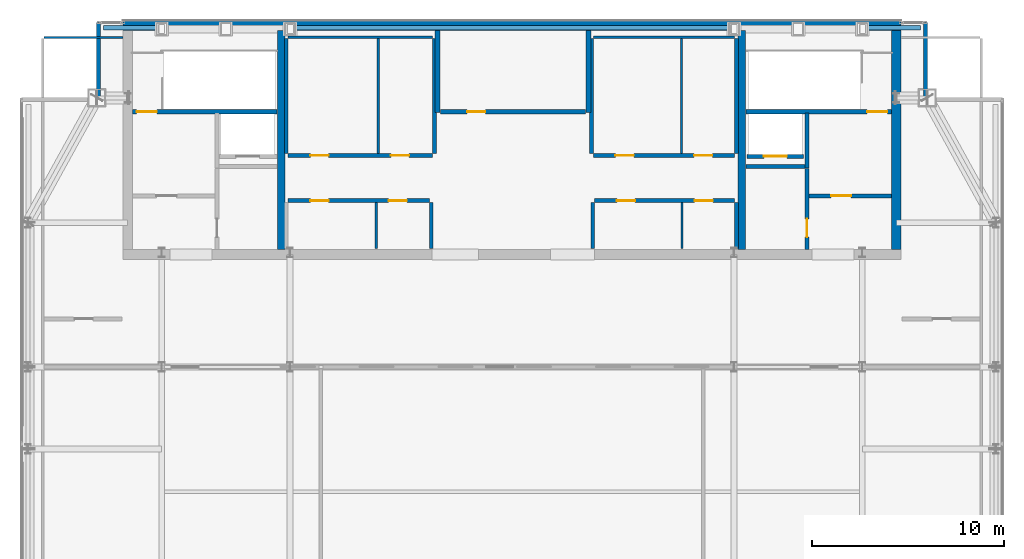
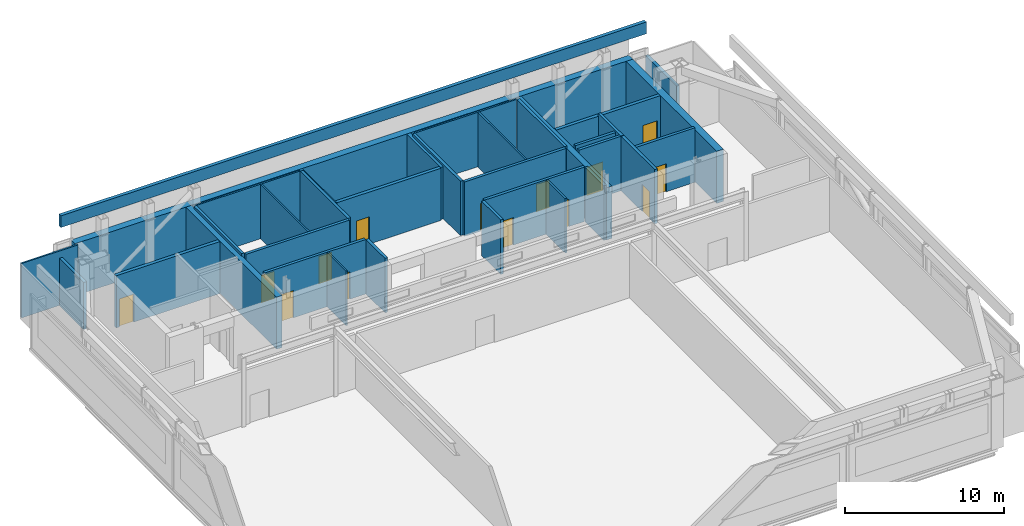
# One storey, part 22 of 24: 35 walls, 14 doors, 14 openings.
"""IFC4 building model written with IfcOpenShell, lengths in metres."""

from ifc_helpers import new_model, si_unit, direction, frame, frame_2d, origin, place, context, subcontext, project, spatial, rectangle, extrude, material, layer, layer_set, type_object, element, fill, save


model = new_model("IFC4")

# Units and contexts
model_context = context("Model", 3, precision=1e-05, world=origin(), true_north=direction((0.0, 1.0)))
body_context = subcontext(model_context, "Body", "Model", "MODEL_VIEW")
ifc_project = project(units=[si_unit("LENGTHUNIT", "METRE"), si_unit("AREAUNIT", "SQUARE_METRE"), si_unit("VOLUMEUNIT", "CUBIC_METRE"), si_unit("PLANEANGLEUNIT", "RADIAN"), si_unit("MASSUNIT", "GRAM", prefix="KILO")], contexts=[model_context])

# Site, building, storey
site_placement = place(None, origin())
site = spatial("IfcSite", under=ifc_project, at=site_placement, CompositionType="ELEMENT")
building_placement = place(site_placement, origin())
building = spatial("IfcBuilding", under=site, at=building_placement, Name="Khoronbel Lancet Exchange", CompositionType="ELEMENT")
storey_placement = place(building_placement, frame((0.0, 0.0, 378.60009765625)))
storey = spatial("IfcBuildingStorey", under=building, at=storey_placement, Name="L96", CompositionType="ELEMENT", Elevation=378.60009765625)

# Walls
ifc_material_1 = material(Name="Concrete C60/75", Category="concrete")
ifc_layer_1 = layer(ifc_material_1, 0.5, Name="Concrete C60/75")
ifc_layer_set_1 = layer_set([ifc_layer_1], Name="Concrete C60/75")
wall_type_1 = type_object("IfcWallType", Name="WL-CW4", PredefinedType="SHEAR", material=ifc_layer_set_1)
wall_1_placement = place(storey_placement, frame((16.199951171875, 53.449951171875, 0.0), z_axis=(0.0, 0.0, 1.0), x_axis=(1.0, 0.0, 0.0)))
element("IfcWall", 1, at=wall_1_placement, inside=storey, type_object=wall_type_1, Name="Level L96 rear core north shear wall", PredefinedType="SHEAR", context=body_context, shape_type="SweptSolid", body=[
    extrude(rectangle(XDim=40.5, YDim=0.5, at=frame_2d((20.25, 0.0))), origin(), (0.0, 0.0, 1.0), 4.0),
])
wall_2_placement = place(storey_placement, frame((56.449951171875, 53.199951171875, 0.0), z_axis=(0.0, 0.0, 1.0), x_axis=(0.0, -1.0, 0.0)))
element("IfcWall", 2, at=wall_2_placement, inside=storey, type_object=wall_type_1, Name="Level L96 rear core east shear wall", PredefinedType="SHEAR", context=body_context, shape_type="SweptSolid", body=[
    extrude(rectangle(XDim=11.39990234375, YDim=0.5, at=frame_2d((5.699951171875, 0.0))), origin(), (0.0, 0.0, 1.0), 4.0),
])
ifc_material_2 = material(Name="Precast concrete C40/50", Category="concrete")
ifc_layer_2 = layer(ifc_material_2, 0.25, Name="Precast concrete C40/50")
ifc_layer_set_2 = layer_set([ifc_layer_2], Name="Precast concrete C40/50")
wall_type_2 = type_object("IfcWallType", Name="WL-EXT250", PredefinedType="SOLIDWALL", material=ifc_layer_set_2)
for number, where, z_axis, x_axis, name in (
    (3, (14.93994140625, 49.719970703125, 0.0), (0.0, 0.0, 1.0), (0.0, 1.0, 0.0), "Level L96 notched-corner limestone pier 05"),
    (4, (57.9599609375, 53.6298828125, 0.0), (0.0, 0.0, 1.0), (0.0, -1.0, 0.0), "Level L96 notched-corner limestone pier 07"),
):
    element("IfcWall", number, at=place(storey_placement, frame(where, z_axis=z_axis, x_axis=x_axis)), inside=storey, type_object=wall_type_2, Name=name, PredefinedType="SOLIDWALL", context=body_context, shape_type="SweptSolid", body=[
        extrude(rectangle(XDim=3.909912109375, YDim=0.219970703125, at=frame_2d((1.955078125, 0.0))), origin(), (0.0, 0.0, 1.0), 3.619873046875),
    ])
ifc_material_3 = material(Name="Concrete C40/50", Category="concrete")
ifc_layer_3 = layer(ifc_material_3, 0.25, Name="Concrete C40/50")
ifc_layer_set_3 = layer_set([ifc_layer_3], Name="Concrete C40/50")
wall_type_3 = type_object("IfcWallType", Name="WL-PAR250", PredefinedType="PARAPET", material=ifc_layer_set_3)
wall_3_placement = place(storey_placement, frame((57.699951171875, 53.35009765625, 5.579833984375), z_axis=(0.0, 0.0, 1.0), x_axis=(-1.0, 0.0, 0.0)))
element("IfcWall", 5, at=wall_3_placement, inside=storey, type_object=wall_type_3, Name="Level L96 closed ring-crown eave parapet N", PredefinedType="PARAPET", context=body_context, shape_type="SweptSolid", body=[
    extrude(rectangle(XDim=42.5, YDim=0.25, at=frame_2d((21.25, 0.0))), origin(), (0.0, 0.0, 1.0), 0.900146484375),
])
ifc_material_4 = material(Name="Acoustic Metal-Stud & Mineral-Wool Gypsum Partition 120 mm", Category="gypsum")
ifc_layer_4 = layer(ifc_material_4, 0.1201171875, Name="Acoustic Metal-Stud & Mineral-Wool Gypsum Partition 120 mm")
ifc_layer_set_4 = layer_set([ifc_layer_4], Name="Acoustic Metal-Stud & Mineral-Wool Gypsum Partition 120 mm")
wall_type_4 = type_object("IfcWallType", Name="WL-PRT120", PredefinedType="PARTITIONING", material=ifc_layer_set_4)
wall_4_placement = place(storey_placement, frame((12.094970703125, 52.840087890625, 0.0), z_axis=(0.0, 0.0, 1.0), x_axis=(1.0, 0.0, 0.0)))
element("IfcWall", 6, at=wall_4_placement, inside=storey, type_object=wall_type_4, Name="Level L96 interior partition PW-LIN-NW", PredefinedType="PARTITIONING", context=body_context, shape_type="SweptSolid", body=[
    extrude(rectangle(XDim=4.10498046875, YDim=0.1201171875, at=frame_2d((2.052490234375, 0.0))), origin(), (0.0, 0.0, 1.0), 4.179931640625),
])
ifc_material_5 = material(Name="Fire-Rated Metal-Stud & Mineral-Wool Gypsum Partition 120 mm", Category="gypsum")
ifc_layer_5 = layer(ifc_material_5, 0.1201171875, Name="Fire-Rated Metal-Stud & Mineral-Wool Gypsum Partition 120 mm")
ifc_layer_set_5 = layer_set([ifc_layer_5], Name="Fire-Rated Metal-Stud & Mineral-Wool Gypsum Partition 120 mm")
wall_type_5 = type_object("IfcWallType", Name="WL-PRT120F", PredefinedType="PARTITIONING", material=ifc_layer_set_5)
wall_5_placement = place(storey_placement, frame((24.804931640625, 52.860107421875, 0.0), z_axis=(0.0, 0.0, 1.0), x_axis=(1.0, 0.0, 0.0)))
element("IfcWall", 7, at=wall_5_placement, inside=storey, type_object=wall_type_5, Name="Level L96 interior partition CW-PL-RN", PredefinedType="PARTITIONING", context=body_context, shape_type="SweptSolid", body=[
    extrude(rectangle(XDim=7.510009765625, YDim=0.1201171875, at=frame_2d((3.7548828125, 0.0))), origin(), (0.0, 0.0, 1.0), 4.179931640625),
])
wall_6_placement = place(storey_placement, frame((29.486328125, 46.804931640625, 0.0), z_axis=(0.0, 0.0, 1.0), x_axis=(0.0, 1.0, 0.0)))
element("IfcWall", 8, at=wall_6_placement, inside=storey, type_object=wall_type_5, Name="Level L96 interior partition CW-PL-RS2", PredefinedType="PARTITIONING", context=body_context, shape_type="SweptSolid", body=[
    extrude(rectangle(XDim=5.989990234375, YDim=0.1201171875, at=frame_2d((2.9951171875, 0.0))), origin(), (0.0, 0.0, 1.0), 4.179931640625),
])
wall_7_placement = place(storey_placement, frame((29.381103515625, 41.85009765625, 0.0), z_axis=(0.0, 0.0, 1.0), x_axis=(0.0, 1.0, 0.0)))
element("IfcWall", 9, at=wall_7_placement, inside=storey, type_object=wall_type_5, Name="Level L96 interior partition CW-PM-RS2", PredefinedType="PARTITIONING", context=body_context, shape_type="SweptSolid", body=[
    extrude(rectangle(XDim=2.39501953125, YDim=0.1201171875, at=frame_2d((1.197509765625, 0.0))), origin(), (0.0, 0.0, 1.0), 4.179931640625),
])
wall_8_placement = place(storey_placement, frame((40.68505859375, 52.860107421875, 0.0), z_axis=(0.0, 0.0, 1.0), x_axis=(1.0, 0.0, 0.0)))
element("IfcWall", 10, at=wall_8_placement, inside=storey, type_object=wall_type_5, Name="Level L96 interior partition CW-PH-RN", PredefinedType="PARTITIONING", context=body_context, shape_type="SweptSolid", body=[
    extrude(rectangle(XDim=7.349853515625, YDim=0.1201171875, at=frame_2d((3.6748046875, 0.0))), origin(), (0.0, 0.0, 1.0), 4.179931640625),
])
wall_9_placement = place(storey_placement, frame((45.26708984375, 46.804931640625, 0.0), z_axis=(0.0, 0.0, 1.0), x_axis=(0.0, 1.0, 0.0)))
element("IfcWall", 11, at=wall_9_placement, inside=storey, type_object=wall_type_5, Name="Level L96 interior partition CW-PH-RS2", PredefinedType="PARTITIONING", context=body_context, shape_type="SweptSolid", body=[
    extrude(rectangle(XDim=5.989990234375, YDim=0.1201171875, at=frame_2d((2.9951171875, 0.0))), origin(), (0.0, 0.0, 1.0), 4.179931640625),
])
wall_10_placement = place(storey_placement, frame((45.293701171875, 41.85009765625, 0.0), z_axis=(0.0, 0.0, 1.0), x_axis=(0.0, 1.0, 0.0)))
element("IfcWall", 12, at=wall_10_placement, inside=storey, type_object=wall_type_5, Name="Level L96 interior partition CW-PX-RS2", PredefinedType="PARTITIONING", context=body_context, shape_type="SweptSolid", body=[
    extrude(rectangle(XDim=2.39501953125, YDim=0.1201171875, at=frame_2d((1.197509765625, 0.0))), origin(), (0.0, 0.0, 1.0), 4.179931640625),
])

# Wall, opening, door
ifc_material_6 = material(Name="Autoclaved Aerated Concrete Blockwork 200 mm", Category="masonry")
ifc_layer_6 = layer(ifc_material_6, 0.199951171875, Name="Autoclaved Aerated Concrete Blockwork 200 mm")
ifc_layer_set_6 = layer_set([ifc_layer_6], Name="Autoclaved Aerated Concrete Blockwork 200 mm")
wall_type_6 = type_object("IfcWallType", Name="WL-PRT200", PredefinedType="PARTITIONING", material=ifc_layer_set_6)
wall_11_placement = place(storey_placement, frame((51.610107421875, 46.64990234375, 0.0), z_axis=(0.0, 0.0, 1.0), x_axis=(-1.0, 0.0, 0.0)))
wall_11 = element("IfcWall", 13, at=wall_11_placement, inside=storey, type_object=wall_type_6, Name="Level L96 elevator hoistway landing front wall FFLE", PredefinedType="PARTITIONING", context=body_context, shape_type="SweptSolid", body=[
    extrude(rectangle(XDim=2.920166015625, YDim=0.199951171875, at=frame_2d((1.4599609375, 0.0))), origin(), (0.0, 0.0, 1.0), 4.179931640625),
])
opening_1_placement = place(wall_11_placement, frame((0.860107421875, 0.0, 0.0)))
opening_1 = element("IfcOpeningElement", 14, at=opening_1_placement, cuts=wall_11, Name="Opening LD-FFL2", PredefinedType="OPENING", context=body_context, shape_type="SweptSolid", body=[
    extrude(rectangle(XDim=1.199951171875, YDim=2.179931640625, at=frame_2d((0.60009765625, 1.08984375))), frame((0.0, 0.10986328125, 0.0), z_axis=(0.0, -1.0, 0.0), x_axis=(1.0, 0.0, 0.0)), (0.0, 0.0, 1.0), 0.219970703125),
])
ifc_material_7 = material(Name="Fire-Rated Stainless Bi-Parting Firefighting Lift Door", Category="steel")
door_type_1 = type_object("IfcDoorType", Name="DR-LD-FFL", OperationType="NOTDEFINED", PredefinedType="DOOR", material=ifc_material_7)
door_1_placement = place(opening_1_placement, origin())
door_1 = element("IfcDoor", 15, at=door_1_placement, inside=storey, type_object=door_type_1, Name="Elevator landing sliding door LD-FFL2 L96", OperationType="SLIDING_TO_LEFT", OverallHeight=2.179931640625, OverallWidth=1.199951171875, PredefinedType="DOOR", context=body_context, shape_type="SweptSolid", body=[
    extrude(rectangle(XDim=1.199951171875, YDim=2.179931640625, at=frame_2d((0.60009765625, 1.08984375))), frame((0.0, 0.02490234375, 0.0), z_axis=(0.0, -1.0, 0.0), x_axis=(1.0, 0.0, 0.0)), (0.0, 0.0, 1.0), 0.050048828125),
])
fill(opening_1, door_1)

# Wall
wall_12_placement = place(storey_placement, frame((51.800048828125, 46.050048828125, 0.0), z_axis=(0.0, 0.0, 1.0), x_axis=(0.0, 1.0, 0.0)))
element("IfcWall", 16, at=wall_12_placement, inside=storey, type_object=wall_type_6, Name="Level L96 interior partition CW-FFLE-W", PredefinedType="PARTITIONING", context=body_context, shape_type="SweptSolid", body=[
    extrude(rectangle(XDim=2.849853515625, YDim=0.199951171875, at=frame_2d((1.4248046875, 0.0))), origin(), (0.0, 0.0, 1.0), 4.179931640625),
])

# Wall, opening, door
wall_13_placement = place(storey_placement, frame((51.89990234375, 44.60009765625, 0.0), z_axis=(0.0, 0.0, 1.0), x_axis=(1.0, 0.0, 0.0)))
wall_13 = element("IfcWall", 17, at=wall_13_placement, inside=storey, type_object=wall_type_6, Name="Level L96 interior partition CW-FFLE-S", PredefinedType="PARTITIONING", context=body_context, shape_type="SweptSolid", body=[
    extrude(rectangle(XDim=4.300048828125, YDim=0.199951171875, at=frame_2d((2.14990234375, 0.0))), origin(), (0.0, 0.0, 1.0), 4.179931640625),
])
opening_2_placement = place(wall_13_placement, frame((1.14990234375, 0.0, 0.0)))
opening_2 = element("IfcOpeningElement", 18, at=opening_2_placement, cuts=wall_13, Name="Opening FD1", PredefinedType="OPENING", context=body_context, shape_type="SweptSolid", body=[
    extrude(rectangle(XDim=1.050048828125, YDim=2.14990234375, at=frame_2d((0.52490234375, 1.074951171875))), frame((0.0, 0.10986328125, 0.0), z_axis=(0.0, -1.0, 0.0), x_axis=(1.0, 0.0, 0.0)), (0.0, 0.0, 1.0), 0.219970703125),
])
ifc_material_8 = material(Name="Fire-Rated Painted Steel Door Assembly", Category="steel")
door_type_2 = type_object("IfcDoorType", Name="DR-FD1", OperationType="NOTDEFINED", PredefinedType="DOOR", material=ifc_material_8)
door_2_placement = place(opening_2_placement, origin())
door_2 = element("IfcDoor", 19, at=door_2_placement, inside=storey, type_object=door_type_2, Name="East firefighting lobby FD90S door L96-1", OperationType="SINGLE_SWING_LEFT", OverallHeight=2.14990234375, OverallWidth=1.050048828125, PredefinedType="DOOR", context=body_context, shape_type="SweptSolid", body=[
    extrude(rectangle(XDim=1.050048828125, YDim=2.14990234375, at=frame_2d((0.52490234375, 1.074951171875))), frame((0.0, 0.02490234375, 0.0), z_axis=(0.0, -1.0, 0.0), x_axis=(1.0, 0.0, 0.0)), (0.0, 0.0, 1.0), 0.050048828125),
])
fill(opening_2, door_2)

# Wall
wall_14_placement = place(storey_placement, frame((48.6298828125, 46.1201171875, 0.0), z_axis=(0.0, 0.0, 1.0), x_axis=(1.0, 0.0, 0.0)))
element("IfcWall", 20, at=wall_14_placement, inside=storey, type_object=wall_type_6, Name="Level L96 interior partition CW-FFL2-S", PredefinedType="PARTITIONING", context=body_context, shape_type="SweptSolid", body=[
    extrude(rectangle(XDim=3.070068359375, YDim=0.199951171875, at=frame_2d((1.53515625, 0.0))), origin(), (0.0, 0.0, 1.0), 4.179931640625),
])

# Wall, opening, door
wall_15_placement = place(storey_placement, frame((51.800048828125, 41.800048828125, 0.0), z_axis=(0.0, 0.0, 1.0), x_axis=(0.0, 1.0, 0.0)))
wall_15 = element("IfcWall", 21, at=wall_15_placement, inside=storey, type_object=wall_type_6, Name="Level L96 interior partition CW-SVL2-REC", PredefinedType="PARTITIONING", context=body_context, shape_type="SweptSolid", body=[
    extrude(rectangle(XDim=4.21484375, YDim=0.199951171875, at=frame_2d((2.107421875, 0.0))), origin(), (0.0, 0.0, 1.0), 4.179931640625),
])
opening_3_placement = place(wall_15_placement, frame((0.64990234375, 0.0, 0.0)))
opening_3 = element("IfcOpeningElement", 22, at=opening_3_placement, cuts=wall_15, Name="Opening FD3", PredefinedType="OPENING", context=body_context, shape_type="SweptSolid", body=[
    extrude(rectangle(XDim=0.949951171875, YDim=2.10009765625, at=frame_2d((0.47509765625, 1.050048828125))), frame((0.0, 0.10986328125, 0.0), z_axis=(0.0, -1.0, 0.0), x_axis=(1.0, 0.0, 0.0)), (0.0, 0.0, 1.0), 0.219970703125),
])
ifc_material_9 = material(Name="Fire-Rated Steel Plant & Riser Door Assembly", Category="steel")
door_type_3 = type_object("IfcDoorType", Name="DR-FD3", OperationType="NOTDEFINED", PredefinedType="DOOR", material=ifc_material_9)
door_3_placement = place(opening_3_placement, origin())
door_3 = element("IfcDoor", 23, at=door_3_placement, inside=storey, type_object=door_type_3, Name="Crown hydraulics plant door L96-1", OperationType="SINGLE_SWING_RIGHT", OverallHeight=2.10009765625, OverallWidth=0.949951171875, PredefinedType="DOOR", context=body_context, shape_type="SweptSolid", body=[
    extrude(rectangle(XDim=0.949951171875, YDim=2.10009765625, at=frame_2d((0.47509765625, 1.050048828125))), frame((0.0, 0.02490234375, 0.0), z_axis=(0.0, -1.0, 0.0), x_axis=(1.0, 0.0, 0.0)), (0.0, 0.0, 1.0), 0.050048828125),
])
fill(opening_3, door_3)

# Walls
for number, where, z_axis, x_axis, name in (
    (24, (24.699951171875, 46.804931640625, 0.0), (0.0, 0.0, 1.0), (0.0, 1.0, 0.0), "Level L96 interior partition CW-PL-RW"),
    (25, (32.419921875, 46.804931640625, 0.0), (0.0, 0.0, 1.0), (0.0, 1.0, 0.0), "Level L96 interior partition CW-PL-RE"),
):
    element("IfcWall", number, at=place(storey_placement, frame(where, z_axis=z_axis, x_axis=x_axis)), inside=storey, type_object=wall_type_6, Name=name, PredefinedType="PARTITIONING", context=body_context, shape_type="SweptSolid", body=[
        extrude(rectangle(XDim=5.989990234375, YDim=0.199951171875, at=frame_2d((2.9951171875, 0.0))), origin(), (0.0, 0.0, 1.0), 4.179931640625),
    ])

# Wall, openings, doors
wall_16_placement = place(storey_placement, frame((24.804931640625, 46.699951171875, 0.0), z_axis=(0.0, 0.0, 1.0), x_axis=(1.0, 0.0, 0.0)))
wall_16 = element("IfcWall", 26, at=wall_16_placement, inside=storey, type_object=wall_type_6, Name="Level L96 interior partition CW-PL-RF", PredefinedType="PARTITIONING", context=body_context, shape_type="SweptSolid", body=[
    extrude(rectangle(XDim=7.510009765625, YDim=0.199951171875, at=frame_2d((3.7548828125, 0.0))), origin(), (0.0, 0.0, 1.0), 4.179931640625),
])
opening_4_placement = place(wall_16_placement, frame((1.14990234375, 0.0, 0.0)))
opening_4 = element("IfcOpeningElement", 27, at=opening_4_placement, cuts=wall_16, Name="Opening FD3", PredefinedType="OPENING", context=body_context, shape_type="SweptSolid", body=[
    extrude(rectangle(XDim=0.949951171875, YDim=2.10009765625, at=frame_2d((0.47509765625, 1.050048828125))), frame((0.0, 0.10986328125, 0.0), z_axis=(0.0, -1.0, 0.0), x_axis=(1.0, 0.0, 0.0)), (0.0, 0.0, 1.0), 0.219970703125),
])
opening_5_placement = place(wall_16_placement, frame((5.33642578125, 0.0, 0.0)))
opening_5 = element("IfcOpeningElement", 28, at=opening_5_placement, cuts=wall_16, Name="Opening FD3", PredefinedType="OPENING", context=body_context, shape_type="SweptSolid", body=[
    extrude(rectangle(XDim=0.949951171875, YDim=2.10009765625, at=frame_2d((0.47509765625, 1.050048828125))), frame((0.0, 0.10986328125, 0.0), z_axis=(0.0, -1.0, 0.0), x_axis=(1.0, 0.0, 0.0)), (0.0, 0.0, 1.0), 0.219970703125),
])
door_4_placement = place(opening_4_placement, origin())
door_4 = element("IfcDoor", 29, at=door_4_placement, inside=storey, type_object=door_type_3, Name="Reclaimed PL C door L96-1", OperationType="SINGLE_SWING_LEFT", OverallHeight=2.10009765625, OverallWidth=0.949951171875, PredefinedType="DOOR", context=body_context, shape_type="SweptSolid", body=[
    extrude(rectangle(XDim=0.949951171875, YDim=2.10009765625, at=frame_2d((0.47509765625, 1.050048828125))), frame((0.0, 0.02490234375, 0.0), z_axis=(0.0, -1.0, 0.0), x_axis=(1.0, 0.0, 0.0)), (0.0, 0.0, 1.0), 0.050048828125),
])
fill(opening_4, door_4)
door_5_placement = place(opening_5_placement, origin())
door_5 = element("IfcDoor", 30, at=door_5_placement, inside=storey, type_object=door_type_3, Name="Reclaimed PL D door L96-2", OperationType="SINGLE_SWING_RIGHT", OverallHeight=2.10009765625, OverallWidth=0.949951171875, PredefinedType="DOOR", context=body_context, shape_type="SweptSolid", body=[
    extrude(rectangle(XDim=0.949951171875, YDim=2.10009765625, at=frame_2d((0.47509765625, 1.050048828125))), frame((0.0, 0.02490234375, 0.0), z_axis=(0.0, -1.0, 0.0), x_axis=(1.0, 0.0, 0.0)), (0.0, 0.0, 1.0), 0.050048828125),
])
fill(opening_5, door_5)

# Wall
wall_17_placement = place(storey_placement, frame((32.25, 41.85009765625, 0.0), z_axis=(0.0, 0.0, 1.0), x_axis=(0.0, 1.0, 0.0)))
element("IfcWall", 31, at=wall_17_placement, inside=storey, type_object=wall_type_6, Name="Level L96 interior partition CW-PM-RE", PredefinedType="PARTITIONING", context=body_context, shape_type="SweptSolid", body=[
    extrude(rectangle(XDim=2.39501953125, YDim=0.199951171875, at=frame_2d((1.197509765625, 0.0))), origin(), (0.0, 0.0, 1.0), 4.179931640625),
])

# Wall, openings, doors
wall_18_placement = place(storey_placement, frame((24.804931640625, 44.35009765625, 0.0), z_axis=(0.0, 0.0, 1.0), x_axis=(1.0, 0.0, 0.0)))
wall_18 = element("IfcWall", 32, at=wall_18_placement, inside=storey, type_object=wall_type_6, Name="Level L96 interior partition CW-PM-RF", PredefinedType="PARTITIONING", context=body_context, shape_type="SweptSolid", body=[
    extrude(rectangle(XDim=7.340087890625, YDim=0.199951171875, at=frame_2d((3.669921875, 0.0))), origin(), (0.0, 0.0, 1.0), 4.179931640625),
])
opening_6_placement = place(wall_18_placement, frame((1.14990234375, 0.0, 0.0)))
opening_6 = element("IfcOpeningElement", 33, at=opening_6_placement, cuts=wall_18, Name="Opening FD3", PredefinedType="OPENING", context=body_context, shape_type="SweptSolid", body=[
    extrude(rectangle(XDim=0.949951171875, YDim=2.10009765625, at=frame_2d((0.47509765625, 1.050048828125))), frame((0.0, 0.10986328125, 0.0), z_axis=(0.0, -1.0, 0.0), x_axis=(1.0, 0.0, 0.0)), (0.0, 0.0, 1.0), 0.219970703125),
])
opening_7_placement = place(wall_18_placement, frame((5.23095703125, 0.0, 0.0)))
opening_7 = element("IfcOpeningElement", 34, at=opening_7_placement, cuts=wall_18, Name="Opening FD3", PredefinedType="OPENING", context=body_context, shape_type="SweptSolid", body=[
    extrude(rectangle(XDim=0.949951171875, YDim=2.10009765625, at=frame_2d((0.47509765625, 1.050048828125))), frame((0.0, 0.10986328125, 0.0), z_axis=(0.0, -1.0, 0.0), x_axis=(1.0, 0.0, 0.0)), (0.0, 0.0, 1.0), 0.219970703125),
])
door_6_placement = place(opening_6_placement, origin())
door_6 = element("IfcDoor", 35, at=door_6_placement, inside=storey, type_object=door_type_3, Name="Reclaimed PM C door L96-1", OperationType="SINGLE_SWING_LEFT", OverallHeight=2.10009765625, OverallWidth=0.949951171875, PredefinedType="DOOR", context=body_context, shape_type="SweptSolid", body=[
    extrude(rectangle(XDim=0.949951171875, YDim=2.10009765625, at=frame_2d((0.47509765625, 1.050048828125))), frame((0.0, 0.02490234375, 0.0), z_axis=(0.0, -1.0, 0.0), x_axis=(1.0, 0.0, 0.0)), (0.0, 0.0, 1.0), 0.050048828125),
])
fill(opening_6, door_6)
door_7_placement = place(opening_7_placement, origin())
door_7 = element("IfcDoor", 36, at=door_7_placement, inside=storey, type_object=door_type_3, Name="Reclaimed PM D door L96-2", OperationType="SINGLE_SWING_RIGHT", OverallHeight=2.10009765625, OverallWidth=0.949951171875, PredefinedType="DOOR", context=body_context, shape_type="SweptSolid", body=[
    extrude(rectangle(XDim=0.949951171875, YDim=2.10009765625, at=frame_2d((0.47509765625, 1.050048828125))), frame((0.0, 0.02490234375, 0.0), z_axis=(0.0, -1.0, 0.0), x_axis=(1.0, 0.0, 0.0)), (0.0, 0.0, 1.0), 0.050048828125),
])
fill(opening_7, door_7)

# Walls
for number, where, z_axis, x_axis, name in (
    (37, (40.580078125, 46.804931640625, 0.0), (0.0, 0.0, 1.0), (0.0, 1.0, 0.0), "Level L96 interior partition CW-PH-RW"),
    (38, (48.139892578125, 46.804931640625, 0.0), (0.0, 0.0, 1.0), (0.0, 1.0, 0.0), "Level L96 interior partition CW-PH-RE"),
):
    element("IfcWall", number, at=place(storey_placement, frame(where, z_axis=z_axis, x_axis=x_axis)), inside=storey, type_object=wall_type_6, Name=name, PredefinedType="PARTITIONING", context=body_context, shape_type="SweptSolid", body=[
        extrude(rectangle(XDim=5.989990234375, YDim=0.199951171875, at=frame_2d((2.9951171875, 0.0))), origin(), (0.0, 0.0, 1.0), 4.179931640625),
    ])

# Wall, openings, doors
wall_19_placement = place(storey_placement, frame((40.68505859375, 46.699951171875, 0.0), z_axis=(0.0, 0.0, 1.0), x_axis=(1.0, 0.0, 0.0)))
wall_19 = element("IfcWall", 39, at=wall_19_placement, inside=storey, type_object=wall_type_6, Name="Level L96 interior partition CW-PH-RF", PredefinedType="PARTITIONING", context=body_context, shape_type="SweptSolid", body=[
    extrude(rectangle(XDim=7.349853515625, YDim=0.199951171875, at=frame_2d((3.6748046875, 0.0))), origin(), (0.0, 0.0, 1.0), 4.179931640625),
])
opening_8_placement = place(wall_19_placement, frame((1.14990234375, 0.0, 0.0)))
opening_8 = element("IfcOpeningElement", 40, at=opening_8_placement, cuts=wall_19, Name="Opening FD3", PredefinedType="OPENING", context=body_context, shape_type="SweptSolid", body=[
    extrude(rectangle(XDim=0.949951171875, YDim=2.10009765625, at=frame_2d((0.47509765625, 1.050048828125))), frame((0.0, 0.10986328125, 0.0), z_axis=(0.0, -1.0, 0.0), x_axis=(1.0, 0.0, 0.0)), (0.0, 0.0, 1.0), 0.219970703125),
])
opening_9_placement = place(wall_19_placement, frame((5.2373046875, 0.0, 0.0)))
opening_9 = element("IfcOpeningElement", 41, at=opening_9_placement, cuts=wall_19, Name="Opening FD3", PredefinedType="OPENING", context=body_context, shape_type="SweptSolid", body=[
    extrude(rectangle(XDim=0.949951171875, YDim=2.10009765625, at=frame_2d((0.47509765625, 1.050048828125))), frame((0.0, 0.10986328125, 0.0), z_axis=(0.0, -1.0, 0.0), x_axis=(1.0, 0.0, 0.0)), (0.0, 0.0, 1.0), 0.219970703125),
])
door_8_placement = place(opening_8_placement, origin())
door_8 = element("IfcDoor", 42, at=door_8_placement, inside=storey, type_object=door_type_3, Name="Reclaimed PH C door L96-1", OperationType="SINGLE_SWING_LEFT", OverallHeight=2.10009765625, OverallWidth=0.949951171875, PredefinedType="DOOR", context=body_context, shape_type="SweptSolid", body=[
    extrude(rectangle(XDim=0.949951171875, YDim=2.10009765625, at=frame_2d((0.47509765625, 1.050048828125))), frame((0.0, 0.02490234375, 0.0), z_axis=(0.0, -1.0, 0.0), x_axis=(1.0, 0.0, 0.0)), (0.0, 0.0, 1.0), 0.050048828125),
])
fill(opening_8, door_8)
door_9_placement = place(opening_9_placement, origin())
door_9 = element("IfcDoor", 43, at=door_9_placement, inside=storey, type_object=door_type_3, Name="Reclaimed PH D door L96-2", OperationType="SINGLE_SWING_RIGHT", OverallHeight=2.10009765625, OverallWidth=0.949951171875, PredefinedType="DOOR", context=body_context, shape_type="SweptSolid", body=[
    extrude(rectangle(XDim=0.949951171875, YDim=2.10009765625, at=frame_2d((0.47509765625, 1.050048828125))), frame((0.0, 0.02490234375, 0.0), z_axis=(0.0, -1.0, 0.0), x_axis=(1.0, 0.0, 0.0)), (0.0, 0.0, 1.0), 0.050048828125),
])
fill(opening_9, door_9)

# Walls
for number, where, z_axis, x_axis, name in (
    (44, (40.64990234375, 41.85009765625, 0.0), (0.0, 0.0, 1.0), (0.0, 1.0, 0.0), "Level L96 interior partition CW-PX-RW"),
    (45, (48.139892578125, 41.85009765625, 0.0), (0.0, 0.0, 1.0), (0.0, 1.0, 0.0), "Level L96 interior partition CW-PX-RE"),
):
    element("IfcWall", number, at=place(storey_placement, frame(where, z_axis=z_axis, x_axis=x_axis)), inside=storey, type_object=wall_type_6, Name=name, PredefinedType="PARTITIONING", context=body_context, shape_type="SweptSolid", body=[
        extrude(rectangle(XDim=2.39501953125, YDim=0.199951171875, at=frame_2d((1.197509765625, 0.0))), origin(), (0.0, 0.0, 1.0), 4.179931640625),
    ])

# Wall, openings, doors
wall_20_placement = place(storey_placement, frame((40.7548828125, 44.35009765625, 0.0), z_axis=(0.0, 0.0, 1.0), x_axis=(1.0, 0.0, 0.0)))
wall_20 = element("IfcWall", 46, at=wall_20_placement, inside=storey, type_object=wall_type_6, Name="Level L96 interior partition CW-PX-RF", PredefinedType="PARTITIONING", context=body_context, shape_type="SweptSolid", body=[
    extrude(rectangle(XDim=7.280029296875, YDim=0.199951171875, at=frame_2d((3.64013671875, 0.0))), origin(), (0.0, 0.0, 1.0), 4.179931640625),
])
opening_10_placement = place(wall_20_placement, frame((1.14990234375, 0.0, 0.0)))
opening_10 = element("IfcOpeningElement", 47, at=opening_10_placement, cuts=wall_20, Name="Opening FD3", PredefinedType="OPENING", context=body_context, shape_type="SweptSolid", body=[
    extrude(rectangle(XDim=0.949951171875, YDim=2.10009765625, at=frame_2d((0.47509765625, 1.050048828125))), frame((0.0, 0.10986328125, 0.0), z_axis=(0.0, -1.0, 0.0), x_axis=(1.0, 0.0, 0.0)), (0.0, 0.0, 1.0), 0.219970703125),
])
opening_11_placement = place(wall_20_placement, frame((5.19384765625, 0.0, 0.0)))
opening_11 = element("IfcOpeningElement", 48, at=opening_11_placement, cuts=wall_20, Name="Opening FD3", PredefinedType="OPENING", context=body_context, shape_type="SweptSolid", body=[
    extrude(rectangle(XDim=0.949951171875, YDim=2.10009765625, at=frame_2d((0.47509765625, 1.050048828125))), frame((0.0, 0.10986328125, 0.0), z_axis=(0.0, -1.0, 0.0), x_axis=(1.0, 0.0, 0.0)), (0.0, 0.0, 1.0), 0.219970703125),
])
door_10_placement = place(opening_10_placement, origin())
door_10 = element("IfcDoor", 49, at=door_10_placement, inside=storey, type_object=door_type_3, Name="Reclaimed PX C door L96-1", OperationType="SINGLE_SWING_LEFT", OverallHeight=2.10009765625, OverallWidth=0.949951171875, PredefinedType="DOOR", context=body_context, shape_type="SweptSolid", body=[
    extrude(rectangle(XDim=0.949951171875, YDim=2.10009765625, at=frame_2d((0.47509765625, 1.050048828125))), frame((0.0, 0.02490234375, 0.0), z_axis=(0.0, -1.0, 0.0), x_axis=(1.0, 0.0, 0.0)), (0.0, 0.0, 1.0), 0.050048828125),
])
fill(opening_10, door_10)
door_11_placement = place(opening_11_placement, origin())
door_11 = element("IfcDoor", 50, at=door_11_placement, inside=storey, type_object=door_type_3, Name="Reclaimed PX D door L96-2", OperationType="SINGLE_SWING_RIGHT", OverallHeight=2.10009765625, OverallWidth=0.949951171875, PredefinedType="DOOR", context=body_context, shape_type="SweptSolid", body=[
    extrude(rectangle(XDim=0.949951171875, YDim=2.10009765625, at=frame_2d((0.47509765625, 1.050048828125))), frame((0.0, 0.02490234375, 0.0), z_axis=(0.0, -1.0, 0.0), x_axis=(1.0, 0.0, 0.0)), (0.0, 0.0, 1.0), 0.050048828125),
])
fill(opening_11, door_11)

# Walls
ifc_layer_7 = layer(ifc_material_1, 0.39990234375, Name="Concrete C60/75")
ifc_layer_set_7 = layer_set([ifc_layer_7], Name="Concrete C60/75")
wall_type_7 = type_object("IfcWallType", Name="WL-SW2", PredefinedType="SHEAR", material=ifc_layer_set_7)
for number, where, z_axis, x_axis, name in (
    (51, (24.449951171875, 41.800048828125, 0.0), (0.0, 0.0, 1.0), (0.0, 1.0, 0.0), "Level L96 rear core internal spine shear wall IW"),
    (52, (48.39990234375, 41.800048828125, 0.0), (0.0, 0.0, 1.0), (0.0, 1.0, 0.0), "Level L96 rear core internal spine shear wall IE"),
):
    element("IfcWall", number, at=place(storey_placement, frame(where, z_axis=z_axis, x_axis=x_axis)), inside=storey, type_object=wall_type_7, Name=name, PredefinedType="SHEAR", context=body_context, shape_type="SweptSolid", body=[
        extrude(rectangle(XDim=11.39990234375, YDim=0.39990234375, at=frame_2d((5.699951171875, 0.0))), origin(), (0.0, 0.0, 1.0), 4.0),
    ])
ifc_layer_8 = layer(ifc_material_1, 0.260009765625, Name="Concrete C60/75")
ifc_layer_set_8 = layer_set([ifc_layer_8], Name="Concrete C60/75")
wall_type_8 = type_object("IfcWallType", Name="WL-SW3", PredefinedType="SHEAR", material=ifc_layer_set_8)
for number, where, z_axis, x_axis, name in (
    (53, (32.580078125, 48.949951171875, 0.0), (0.0, 0.0, 1.0), (0.0, 1.0, 0.0), "Level L96 central stairwell structural shear wall ST3W"),
    (54, (40.419921875, 48.949951171875, 0.0), (0.0, 0.0, 1.0), (0.0, 1.0, 0.0), "Level L96 central stairwell structural shear wall ST3E"),
):
    element("IfcWall", number, at=place(storey_placement, frame(where, z_axis=z_axis, x_axis=x_axis)), inside=storey, type_object=wall_type_8, Name=name, PredefinedType="SHEAR", context=body_context, shape_type="SweptSolid", body=[
        extrude(rectangle(XDim=4.25, YDim=0.260009765625, at=frame_2d((2.125, 0.0))), origin(), (0.0, 0.0, 1.0), 4.0),
    ])

# Wall, opening, door
wall_21_placement = place(storey_placement, frame((16.699951171875, 48.97998046875, 0.0), z_axis=(0.0, 0.0, 1.0), x_axis=(1.0, 0.0, 0.0)))
wall_21 = element("IfcWall", 55, at=wall_21_placement, inside=storey, type_object=wall_type_8, Name="Level L96 west stairwell structural south wall", PredefinedType="SHEAR", context=body_context, shape_type="SweptSolid", body=[
    extrude(rectangle(XDim=7.52001953125, YDim=0.239990234375, at=frame_2d((3.760009765625, 0.0))), origin(), (0.0, 0.0, 1.0), 4.0),
])
opening_12_placement = place(wall_21_placement, frame((0.219970703125, 0.0, 0.0)))
opening_12 = element("IfcOpeningElement", 56, at=opening_12_placement, cuts=wall_21, Name="Opening SD1", PredefinedType="OPENING", context=body_context, shape_type="SweptSolid", body=[
    extrude(rectangle(XDim=1.050048828125, YDim=2.14990234375, at=frame_2d((0.52490234375, 1.074951171875))), frame((0.0, 0.1298828125, 0.0), z_axis=(0.0, -1.0, 0.0), x_axis=(1.0, 0.0, 0.0)), (0.0, 0.0, 1.0), 0.260009765625),
])
ifc_material_10 = material(Name="Fire-Rated Steel Stairwell Door Assembly", Category="steel")
door_type_4 = type_object("IfcDoorType", Name="DR-SD1", OperationType="NOTDEFINED", PredefinedType="DOOR", material=ifc_material_10)
door_12_placement = place(opening_12_placement, origin())
door_12 = element("IfcDoor", 57, at=door_12_placement, inside=storey, type_object=door_type_4, Name="Protected exit stair ST1 door L96", OperationType="SINGLE_SWING_LEFT", OverallHeight=2.14990234375, OverallWidth=1.050048828125, PredefinedType="DOOR", context=body_context, shape_type="SweptSolid", body=[
    extrude(rectangle(XDim=1.050048828125, YDim=2.14990234375, at=frame_2d((0.52490234375, 1.074951171875))), frame((0.0, 0.02490234375, 0.0), z_axis=(0.0, -1.0, 0.0), x_axis=(1.0, 0.0, 0.0)), (0.0, 0.0, 1.0), 0.050048828125),
])
fill(opening_12, door_12)

wall_22_placement = place(storey_placement, frame((48.6298828125, 48.97998046875, 0.0), z_axis=(0.0, 0.0, 1.0), x_axis=(1.0, 0.0, 0.0)))
wall_22 = element("IfcWall", 58, at=wall_22_placement, inside=storey, type_object=wall_type_8, Name="Level L96 east stairwell structural south wall", PredefinedType="SHEAR", context=body_context, shape_type="SweptSolid", body=[
    extrude(rectangle(XDim=7.570068359375, YDim=0.239990234375, at=frame_2d((3.78515625, 0.0))), origin(), (0.0, 0.0, 1.0), 4.0),
])
opening_13_placement = place(wall_22_placement, frame((6.300048828125, 0.0, 0.0)))
opening_13 = element("IfcOpeningElement", 59, at=opening_13_placement, cuts=wall_22, Name="Opening SD1", PredefinedType="OPENING", context=body_context, shape_type="SweptSolid", body=[
    extrude(rectangle(XDim=1.050048828125, YDim=2.14990234375, at=frame_2d((0.52490234375, 1.074951171875))), frame((0.0, 0.1298828125, 0.0), z_axis=(0.0, -1.0, 0.0), x_axis=(1.0, 0.0, 0.0)), (0.0, 0.0, 1.0), 0.260009765625),
])
door_13_placement = place(opening_13_placement, origin())
door_13 = element("IfcDoor", 60, at=door_13_placement, inside=storey, type_object=door_type_4, Name="Protected exit stair ST2 door L96", OperationType="SINGLE_SWING_RIGHT", OverallHeight=2.14990234375, OverallWidth=1.050048828125, PredefinedType="DOOR", context=body_context, shape_type="SweptSolid", body=[
    extrude(rectangle(XDim=1.050048828125, YDim=2.14990234375, at=frame_2d((0.52490234375, 1.074951171875))), frame((0.0, 0.02490234375, 0.0), z_axis=(0.0, -1.0, 0.0), x_axis=(1.0, 0.0, 0.0)), (0.0, 0.0, 1.0), 0.050048828125),
])
fill(opening_13, door_13)

wall_23_placement = place(storey_placement, frame((32.719970703125, 48.97998046875, 0.0), z_axis=(0.0, 0.0, 1.0), x_axis=(1.0, 0.0, 0.0)))
wall_23 = element("IfcWall", 61, at=wall_23_placement, inside=storey, type_object=wall_type_8, Name="Level L96 central stairwell structural south wall", PredefinedType="SHEAR", context=body_context, shape_type="SweptSolid", body=[
    extrude(rectangle(XDim=7.56005859375, YDim=0.239990234375, at=frame_2d((3.780029296875, 0.0))), origin(), (0.0, 0.0, 1.0), 4.0),
])
opening_14_placement = place(wall_23_placement, frame((1.39990234375, 0.0, 0.0)))
opening_14 = element("IfcOpeningElement", 62, at=opening_14_placement, cuts=wall_23, Name="Opening FD3", PredefinedType="OPENING", context=body_context, shape_type="SweptSolid", body=[
    extrude(rectangle(XDim=0.949951171875, YDim=2.10009765625, at=frame_2d((0.47509765625, 1.050048828125))), frame((0.0, 0.1298828125, 0.0), z_axis=(0.0, -1.0, 0.0), x_axis=(1.0, 0.0, 0.0)), (0.0, 0.0, 1.0), 0.260009765625),
])
door_14_placement = place(opening_14_placement, origin())
door_14 = element("IfcDoor", 63, at=door_14_placement, inside=storey, type_object=door_type_3, Name="Crown smoke extract plant door L96", OperationType="SINGLE_SWING_RIGHT", OverallHeight=2.10009765625, OverallWidth=0.949951171875, PredefinedType="DOOR", context=body_context, shape_type="SweptSolid", body=[
    extrude(rectangle(XDim=0.949951171875, YDim=2.10009765625, at=frame_2d((0.47509765625, 1.050048828125))), frame((0.0, 0.02490234375, 0.0), z_axis=(0.0, -1.0, 0.0), x_axis=(1.0, 0.0, 0.0)), (0.0, 0.0, 1.0), 0.050048828125),
])
fill(opening_14, door_14)

save(model, "model.ifc")
